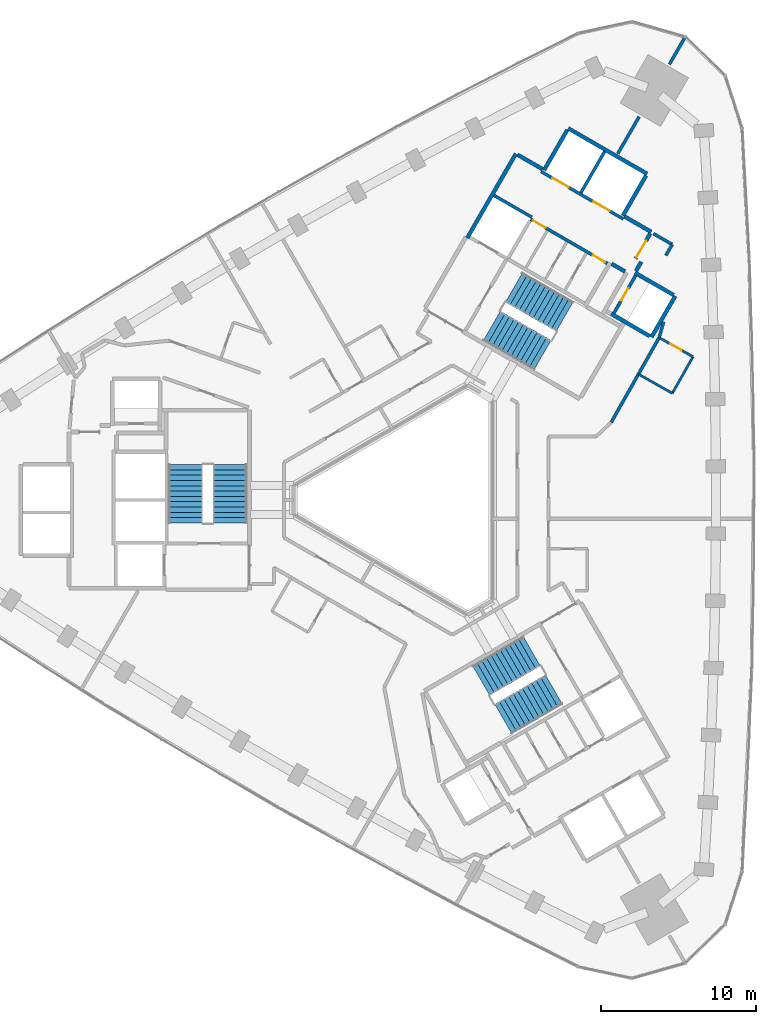
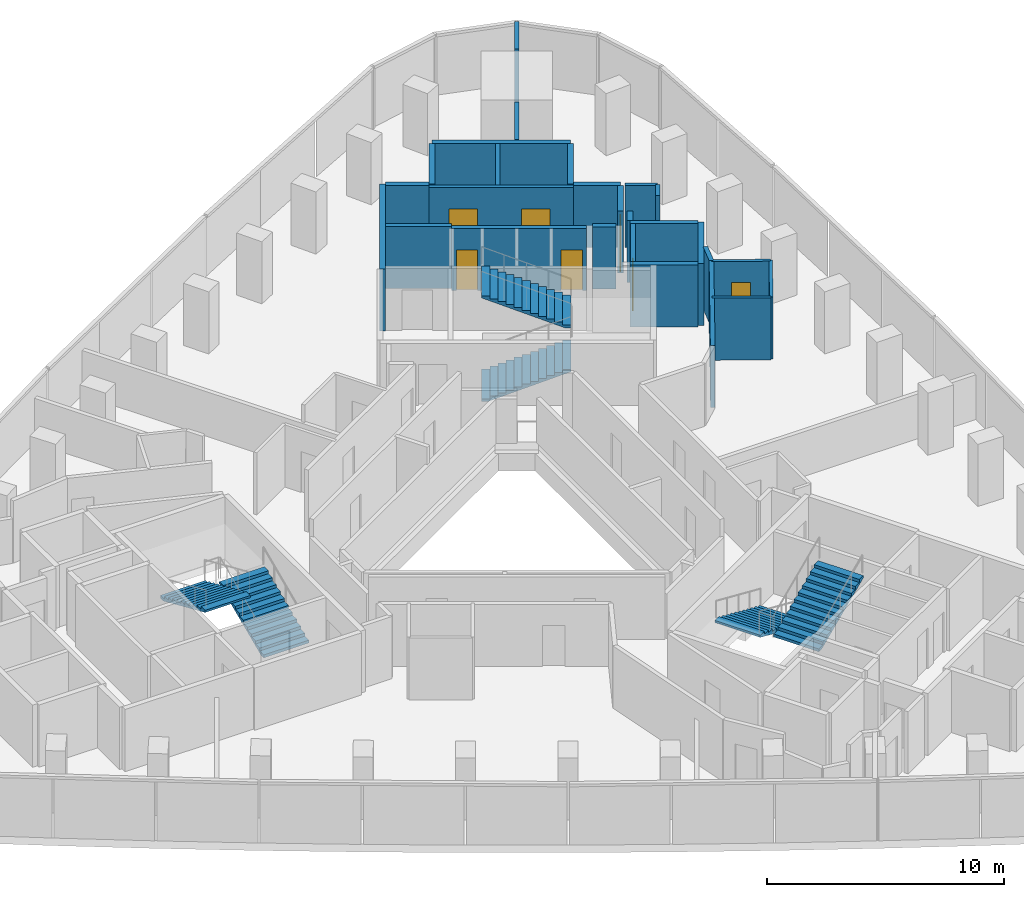
# One storey, part 11 of 12: 26 walls, 7 doors, 6 stair flights, 7 openings, 3 elements without a shape of their own.
"""IFC4 building model written with IfcOpenShell, lengths in metres."""

from ifc_helpers import new_model, si_unit, direction, frame, frame_2d, origin, place, context, subcontext, project, spatial, polyline, rectangle, outline, extrude, material, layer, layer_set, type_object, element, fill, aggregate, save


model = new_model("IFC4")

# Units and contexts
model_context = context("Model", 3, precision=1e-05, world=origin(), true_north=direction((0.0, 1.0)))
body_context = subcontext(model_context, "Body", "Model", "MODEL_VIEW")
ifc_project = project(units=[si_unit("LENGTHUNIT", "METRE"), si_unit("AREAUNIT", "SQUARE_METRE"), si_unit("VOLUMEUNIT", "CUBIC_METRE"), si_unit("PLANEANGLEUNIT", "RADIAN"), si_unit("MASSUNIT", "GRAM", prefix="KILO")], contexts=[model_context])

# Site, building, storey
site_placement = place(None, origin())
site = spatial("IfcSite", under=ifc_project, at=site_placement, CompositionType="ELEMENT")
building_placement = place(site_placement, origin())
building = spatial("IfcBuilding", under=site, at=building_placement, Name="Tamra Quay Hotel Tower", CompositionType="ELEMENT")
storey_placement = place(building_placement, frame((0.0, 0.0, 154.0)))
storey = spatial("IfcBuildingStorey", under=building, at=storey_placement, Name="L38", CompositionType="ELEMENT", Elevation=154.0)

# Wall, openings, doors
ifc_material_1 = material(Name="Concrete M70", Category="concrete")
ifc_layer_1 = layer(ifc_material_1, 0.199951171875)
ifc_layer_set_1 = layer_set([ifc_layer_1], Name="Concrete M70 core wall 200")
wall_type_1 = type_object("IfcWallType", Name="Concrete M70 core wall 200", PredefinedType="SHEAR", material=ifc_layer_set_1)
wall_1_placement = place(storey_placement, frame((13.209716796875, 18.07958984375, 0.0), z_axis=(0.0, 0.0, 1.0), x_axis=(-0.866030299012, 0.499991521122, 0.0)))
wall_1 = element("IfcWall", 1, at=wall_1_placement, inside=storey, type_object=wall_type_1, Name="CW2", PredefinedType="SHEAR", context=body_context, shape_type="SweptSolid", body=[
    extrude(rectangle(XDim=6.10009765625, YDim=0.199951171875, at=frame_2d((3.050048828125, 0.0))), origin(), (0.0, 0.0, 1.0), 3.199951171875),
])
opening_1_placement = place(wall_1_placement, frame((1.0, 0.0, 0.0)))
opening_1 = element("IfcOpeningElement", 2, at=opening_1_placement, cuts=wall_1, Name="Opening LD", PredefinedType="OPENING", context=body_context, shape_type="SweptSolid", body=[
    extrude(rectangle(XDim=1.199951171875, YDim=2.10009765625, at=frame_2d((0.60009765625, 1.050048828125))), frame((0.0, 0.10986328125, 0.0), z_axis=(0.0, -1.0, 0.0), x_axis=(1.0, 0.0, 0.0)), (0.0, 0.0, 1.0), 0.219970703125),
])
opening_2_placement = place(wall_1_placement, frame((4.05029296875, 0.0, 0.0)))
opening_2 = element("IfcOpeningElement", 3, at=opening_2_placement, cuts=wall_1, Name="Opening LD", PredefinedType="OPENING", context=body_context, shape_type="SweptSolid", body=[
    extrude(rectangle(XDim=1.199951171875, YDim=2.10009765625, at=frame_2d((0.60009765625, 1.050048828125))), frame((0.0, 0.10986328125, 0.0), z_axis=(0.0, -1.0, 0.0), x_axis=(1.0, 0.0, 0.0)), (0.0, 0.0, 1.0), 0.219970703125),
])
ifc_material_2 = material(Name="Landing door LD 1200 double door sliding")
door_type_1 = type_object("IfcDoorType", Name="Landing door LD 1200 double door sliding", OperationType="DOUBLE_DOOR_SLIDING", PredefinedType="DOOR", material=ifc_material_2)
door_1_placement = place(opening_1_placement, origin())
door_1 = element("IfcDoor", 4, at=door_1_placement, inside=storey, type_object=door_type_1, Name="LD", OperationType="DOUBLE_DOOR_SLIDING", OverallHeight=2.10009765625, OverallWidth=1.199951171875, PredefinedType="DOOR", context=body_context, shape_type="SweptSolid", body=[
    extrude(rectangle(XDim=1.199951171875, YDim=2.10009765625, at=frame_2d((0.60009765625, 1.050048828125))), frame((0.0, 0.02490234375, 0.0), z_axis=(0.0, -1.0, 0.0), x_axis=(1.0, 0.0, 0.0)), (0.0, 0.0, 1.0), 0.050048828125),
])
fill(opening_1, door_1)
door_2_placement = place(opening_2_placement, origin())
door_2 = element("IfcDoor", 5, at=door_2_placement, inside=storey, type_object=door_type_1, Name="LD", OperationType="DOUBLE_DOOR_SLIDING", OverallHeight=2.10009765625, OverallWidth=1.199951171875, PredefinedType="DOOR", context=body_context, shape_type="SweptSolid", body=[
    extrude(rectangle(XDim=1.199951171875, YDim=2.10009765625, at=frame_2d((0.60009765625, 1.050048828125))), frame((0.0, 0.02490234375, 0.0), z_axis=(0.0, -1.0, 0.0), x_axis=(1.0, 0.0, 0.0)), (0.0, 0.0, 1.0), 0.050048828125),
])
fill(opening_2, door_2)

wall_2_placement = place(storey_placement, frame((12.18505859375, 15.20703125, 0.0), z_axis=(0.0, 0.0, 1.0), x_axis=(-0.866020080793, 0.500009219579, 0.0)))
wall_2 = element("IfcWall", 6, at=wall_2_placement, inside=storey, type_object=wall_type_1, Name="CW2", PredefinedType="SHEAR", context=body_context, shape_type="SweptSolid", body=[
    extrude(rectangle(XDim=5.69921875, YDim=0.199951171875, at=frame_2d((2.849609375, 0.0))), origin(), (0.0, 0.0, 1.0), 3.199951171875),
])
opening_3_placement = place(wall_2_placement, frame((0.174072265625, 0.0, 0.0)))
opening_3 = element("IfcOpeningElement", 7, at=opening_3_placement, cuts=wall_2, Name="Opening D2", PredefinedType="OPENING", context=body_context, shape_type="SweptSolid", body=[
    extrude(rectangle(XDim=0.89990234375, YDim=2.10009765625, at=frame_2d((0.449951171875, 1.050048828125))), frame((0.0, 0.10986328125, 0.0), z_axis=(0.0, -1.0, 0.0), x_axis=(1.0, 0.0, 0.0)), (0.0, 0.0, 1.0), 0.219970703125),
])
opening_4_placement = place(wall_2_placement, frame((4.59912109375, 0.0, 0.0)))
opening_4 = element("IfcOpeningElement", 8, at=opening_4_placement, cuts=wall_2, Name="Opening D2", PredefinedType="OPENING", context=body_context, shape_type="SweptSolid", body=[
    extrude(rectangle(XDim=0.89990234375, YDim=2.10009765625, at=frame_2d((0.449951171875, 1.050048828125))), frame((0.0, 0.10986328125, 0.0), z_axis=(0.0, -1.0, 0.0), x_axis=(1.0, 0.0, 0.0)), (0.0, 0.0, 1.0), 0.219970703125),
])
ifc_material_3 = material(Name="Core door D2 900x2100 LH")
door_type_2 = type_object("IfcDoorType", Name="Core door D2 900x2100 LH", OperationType="NOTDEFINED", PredefinedType="DOOR", material=ifc_material_3)
door_3_placement = place(opening_3_placement, origin())
door_3 = element("IfcDoor", 9, at=door_3_placement, inside=storey, type_object=door_type_2, Name="D2", OperationType="SINGLE_SWING_LEFT", OverallHeight=2.10009765625, OverallWidth=0.89990234375, PredefinedType="DOOR", context=body_context, shape_type="SweptSolid", body=[
    extrude(rectangle(XDim=0.89990234375, YDim=2.10009765625, at=frame_2d((0.449951171875, 1.050048828125))), frame((0.0, 0.02490234375, 0.0), z_axis=(0.0, -1.0, 0.0), x_axis=(1.0, 0.0, 0.0)), (0.0, 0.0, 1.0), 0.050048828125),
])
fill(opening_3, door_3)
ifc_material_4 = material(Name="Core door D2 900x2100 RH")
door_type_3 = type_object("IfcDoorType", Name="Core door D2 900x2100 RH", OperationType="NOTDEFINED", PredefinedType="DOOR", material=ifc_material_4)
door_4_placement = place(opening_4_placement, origin())
door_4 = element("IfcDoor", 10, at=door_4_placement, inside=storey, type_object=door_type_3, Name="D2", OperationType="SINGLE_SWING_RIGHT", OverallHeight=2.10009765625, OverallWidth=0.89990234375, PredefinedType="DOOR", context=body_context, shape_type="SweptSolid", body=[
    extrude(rectangle(XDim=0.89990234375, YDim=2.10009765625, at=frame_2d((0.449951171875, 1.050048828125))), frame((0.0, 0.02490234375, 0.0), z_axis=(0.0, -1.0, 0.0), x_axis=(1.0, 0.0, 0.0)), (0.0, 0.0, 1.0), 0.050048828125),
])
fill(opening_4, door_4)

# Wall
wall_3_placement = place(storey_placement, frame((10.48876953125, 19.76708984375, 0.0), z_axis=(0.0, 0.0, 1.0), x_axis=(0.499946628782, 0.866056215479, 0.0)))
element("IfcWall", 11, at=wall_3_placement, inside=storey, type_object=wall_type_1, Name="CW2", PredefinedType="SHEAR", context=body_context, shape_type="SweptSolid", body=[
    extrude(rectangle(XDim=3.048095703125, YDim=0.199951171875, at=frame_2d((1.52392578125, 0.0))), origin(), (0.0, 0.0, 1.0), 3.199951171875),
])

# Wall, opening, door
wall_4_placement = place(storey_placement, frame((14.0078125, 14.442138671875, 0.0), z_axis=(0.0, 0.0, 1.0), x_axis=(-0.499986818241, -0.866033014143, 0.0)))
wall_4 = element("IfcWall", 12, at=wall_4_placement, inside=storey, type_object=wall_type_1, Name="CW2", PredefinedType="SHEAR", context=body_context, shape_type="SweptSolid", body=[
    extrude(rectangle(XDim=2.7978515625, YDim=0.199951171875, at=frame_2d((1.39892578125, 0.0))), origin(), (0.0, 0.0, 1.0), 3.199951171875),
])
opening_5_placement = place(wall_4_placement, frame((0.948974609375, 0.0, 0.0)))
opening_5 = element("IfcOpeningElement", 13, at=opening_5_placement, cuts=wall_4, Name="Opening D1", PredefinedType="OPENING", context=body_context, shape_type="SweptSolid", body=[
    extrude(rectangle(XDim=0.89990234375, YDim=2.10009765625, at=frame_2d((0.449951171875, 1.050048828125))), frame((0.0, 0.10986328125, 0.0), z_axis=(0.0, -1.0, 0.0), x_axis=(1.0, 0.0, 0.0)), (0.0, 0.0, 1.0), 0.219970703125),
])
ifc_material_5 = material(Name="Core door D1 900x2100 LH")
door_type_4 = type_object("IfcDoorType", Name="Core door D1 900x2100 LH", OperationType="NOTDEFINED", PredefinedType="DOOR", material=ifc_material_5)
door_5_placement = place(opening_5_placement, origin())
door_5 = element("IfcDoor", 14, at=door_5_placement, inside=storey, type_object=door_type_4, Name="D1", OperationType="SINGLE_SWING_LEFT", OverallHeight=2.10009765625, OverallWidth=0.89990234375, PredefinedType="DOOR", context=body_context, shape_type="SweptSolid", body=[
    extrude(rectangle(XDim=0.89990234375, YDim=2.10009765625, at=frame_2d((0.449951171875, 1.050048828125))), frame((0.0, 0.02490234375, 0.0), z_axis=(0.0, -1.0, 0.0), x_axis=(1.0, 0.0, 0.0)), (0.0, 0.0, 1.0), 0.050048828125),
])
fill(opening_5, door_5)

# Walls
wall_5_placement = place(storey_placement, frame((4.900634765625, 19.5859375, 0.0), z_axis=(0.0, 0.0, 1.0), x_axis=(0.866022890907, -0.500004352405, 0.0)))
element("IfcWall", 15, at=wall_5_placement, inside=storey, type_object=wall_type_1, Name="CW2", PredefinedType="SHEAR", context=body_context, shape_type="SweptSolid", body=[
    extrude(rectangle(XDim=2.798828125, YDim=0.199951171875, at=frame_2d((1.3994140625, 0.0))), origin(), (0.0, 0.0, 1.0), 3.199951171875),
])
ifc_layer_2 = layer(ifc_material_1, 0.25)
ifc_layer_set_2 = layer_set([ifc_layer_2], Name="Concrete M70 core wall 250")
wall_type_2 = type_object("IfcWallType", Name="Concrete M70 core wall 250", PredefinedType="SHEAR", material=ifc_layer_set_2)
wall_6_placement = place(storey_placement, frame((3.178955078125, 16.856201171875, 0.0), z_axis=(0.0, 0.0, 1.0), x_axis=(0.500004234368, 0.866022959057, 0.0)))
element("IfcWall", 16, at=wall_6_placement, inside=storey, type_object=wall_type_2, Name="CW1", PredefinedType="SHEAR", context=body_context, shape_type="SweptSolid", body=[
    extrude(rectangle(XDim=6.25, YDim=0.25, at=frame_2d((3.125, 0.0))), origin(), (0.0, 0.0, 1.0), 3.199951171875),
])
wall_7_placement = place(storey_placement, frame((9.672607421875, 23.9033203125, 0.0), z_axis=(0.0, 0.0, 1.0), x_axis=(0.86603616409, -0.499981362141, 0.0)))
element("IfcWall", 17, at=wall_7_placement, inside=storey, type_object=wall_type_2, Name="CW1", PredefinedType="SHEAR", context=body_context, shape_type="SweptSolid", body=[
    extrude(rectangle(XDim=5.849853515625, YDim=0.25, at=frame_2d((2.9248046875, 0.0))), origin(), (0.0, 0.0, 1.0), 3.199951171875),
])
for number, where, z_axis, x_axis, name in (
    (18, (8.12255859375, 21.21875, 0.0), (0.0, 0.0, 1.0), (0.499987686533, 0.866032512851, 0.0), "CW1"),
    (19, (14.67626953125, 20.869873046875, 0.0), (0.0, 0.0, 1.0), (-0.499987686533, -0.866032512851, 0.0), "CW1"),
):
    element("IfcWall", number, at=place(storey_placement, frame(where, z_axis=z_axis, x_axis=x_axis)), inside=storey, type_object=wall_type_2, Name=name, PredefinedType="SHEAR", context=body_context, shape_type="SweptSolid", body=[
        extrude(rectangle(XDim=2.974609375, YDim=0.25, at=frame_2d((1.4873046875, 0.0))), origin(), (0.0, 0.0, 1.0), 3.199951171875),
    ])
wall_8_placement = place(storey_placement, frame((16.552001953125, 13.118896484375, 0.0), z_axis=(0.0, 0.0, 1.0), x_axis=(-0.499978833458, -0.866037623948, 0.0)))
element("IfcWall", 20, at=wall_8_placement, inside=storey, type_object=wall_type_2, Name="CW1", PredefinedType="SHEAR", context=body_context, shape_type="SweptSolid", body=[
    extrude(rectangle(XDim=3.050048828125, YDim=0.25, at=frame_2d((1.52490234375, 0.0))), origin(), (0.0, 0.0, 1.0), 3.199951171875),
])
wall_9_placement = place(storey_placement, frame((14.91845703125, 10.540283203125, 0.0), z_axis=(0.0, 0.0, 1.0), x_axis=(-0.866063538972, 0.499933942099, 0.0)))
element("IfcWall", 21, at=wall_9_placement, inside=storey, type_object=wall_type_2, Name="CW1", PredefinedType="SHEAR", context=body_context, shape_type="SweptSolid", body=[
    extrude(rectangle(XDim=2.86474609375, YDim=0.25, at=frame_2d((1.432373046875, 0.0))), origin(), (0.0, 0.0, 1.0), 3.199951171875),
])
wall_10_placement = place(storey_placement, frame((13.962646484375, 14.61376953125, 0.0), z_axis=(0.0, 0.0, 1.0), x_axis=(0.866042235819, -0.499970844928, 0.0)))
element("IfcWall", 22, at=wall_10_placement, inside=storey, type_object=wall_type_2, Name="CW1", PredefinedType="SHEAR", context=body_context, shape_type="SweptSolid", body=[
    extrude(rectangle(XDim=2.864501953125, YDim=0.25, at=frame_2d((1.43212890625, 0.0))), origin(), (0.0, 0.0, 1.0), 3.199951171875),
])
wall_11_placement = place(storey_placement, frame((13.29736328125, 18.23095703125, 0.0), z_axis=(0.0, 0.0, 1.0), x_axis=(0.866043531843, -0.499968599967, 0.0)))
element("IfcWall", 23, at=wall_11_placement, inside=storey, type_object=wall_type_2, Name="CW1", PredefinedType="SHEAR", context=body_context, shape_type="SweptSolid", body=[
    extrude(rectangle(XDim=1.974853515625, YDim=0.25, at=frame_2d((0.9873046875, 0.0))), origin(), (0.0, 0.0, 1.0), 3.199951171875),
])
wall_12_placement = place(storey_placement, frame((6.41259765625, 22.2060546875, 0.0), z_axis=(0.0, 0.0, 1.0), x_axis=(0.866016279763, -0.500015802937, 0.0)))
element("IfcWall", 24, at=wall_12_placement, inside=storey, type_object=wall_type_2, Name="CW1", PredefinedType="SHEAR", context=body_context, shape_type="SweptSolid", body=[
    extrude(rectangle(XDim=1.84912109375, YDim=0.25, at=frame_2d((0.924560546875, 0.0))), origin(), (0.0, 0.0, 1.0), 3.199951171875),
])

# Wall, opening, door
wall_13_placement = place(storey_placement, frame((14.94482421875, 17.13525390625, 0.0), z_axis=(0.0, 0.0, 1.0), x_axis=(-0.499983108224, -0.866035156036, 0.0)))
wall_13 = element("IfcWall", 25, at=wall_13_placement, inside=storey, type_object=wall_type_2, Name="CW1", PredefinedType="SHEAR", context=body_context, shape_type="SweptSolid", body=[
    extrude(rectangle(XDim=1.86474609375, YDim=0.25, at=frame_2d((0.932373046875, 0.0))), origin(), (0.0, 0.0, 1.0), 3.199951171875),
])
opening_6_placement = place(wall_13_placement, frame((0.53466796875, 0.0, 0.0)))
opening_6 = element("IfcOpeningElement", 26, at=opening_6_placement, cuts=wall_13, Name="Opening FD3", PredefinedType="OPENING", context=body_context, shape_type="SweptSolid", body=[
    extrude(rectangle(XDim=1.25, YDim=2.10009765625, at=frame_2d((0.625, 1.050048828125))), frame((0.0, 0.135009765625, 0.0), z_axis=(0.0, -1.0, 0.0), x_axis=(1.0, 0.0, 0.0)), (0.0, 0.0, 1.0), 0.27001953125),
])
ifc_material_6 = material(Name="Core door FD3 1250x2100 LH")
door_type_5 = type_object("IfcDoorType", Name="Core door FD3 1250x2100 LH", OperationType="NOTDEFINED", PredefinedType="DOOR", material=ifc_material_6)
door_6_placement = place(opening_6_placement, origin())
door_6 = element("IfcDoor", 27, at=door_6_placement, inside=storey, type_object=door_type_5, Name="FD3", OperationType="SINGLE_SWING_LEFT", OverallHeight=2.10009765625, OverallWidth=1.25, PredefinedType="DOOR", context=body_context, shape_type="SweptSolid", body=[
    extrude(rectangle(XDim=1.25, YDim=2.10009765625, at=frame_2d((0.625, 1.050048828125))), frame((0.0, 0.02490234375, 0.0), z_axis=(0.0, -1.0, 0.0), x_axis=(1.0, 0.0, 0.0)), (0.0, 0.0, 1.0), 0.050048828125),
])
fill(opening_6, door_6)

# Walls
wall_14_placement = place(storey_placement, frame((13.322021484375, 14.695068359375, 0.0), z_axis=(0.0, 0.0, 1.0), x_axis=(-0.866017078145, 0.500014420154, 0.0)))
element("IfcWall", 28, at=wall_14_placement, inside=storey, type_object=wall_type_2, Name="CW1", PredefinedType="SHEAR", context=body_context, shape_type="SweptSolid", body=[
    extrude(rectangle(XDim=0.9892578125, YDim=0.25, at=frame_2d((0.49462890625, 0.0))), origin(), (0.0, 0.0, 1.0), 3.199951171875),
])
wall_15_placement = place(storey_placement, frame((14.36767578125, 15.3154296875, 0.0), z_axis=(0.0, 0.0, 1.0), x_axis=(-0.499897359611, -0.866084655132, 0.0)))
element("IfcWall", 29, at=wall_15_placement, inside=storey, type_object=wall_type_2, Name="CW1", PredefinedType="SHEAR", context=body_context, shape_type="SweptSolid", body=[
    extrude(rectangle(XDim=0.684814453125, YDim=0.25, at=frame_2d((0.34228515625, 0.0))), origin(), (0.0, 0.0, 1.0), 3.199951171875),
])
ifc_material_7 = material(Name="Partition corridor wall")
ifc_layer_3 = layer(ifc_material_7, 0.199951171875)
ifc_layer_set_3 = layer_set([ifc_layer_3], Name="Partition corridor wall")
wall_type_3 = type_object("IfcWallType", Name="Partition corridor wall", PredefinedType="PARTITIONING", material=ifc_layer_set_3)
wall_16_placement = place(storey_placement, frame((12.43310546875, 4.991943359375, 0.0), z_axis=(0.0, 0.0, 1.0), x_axis=(0.492572049538, 0.870271667937, 0.0)))
element("IfcWall", 30, at=wall_16_placement, inside=storey, type_object=wall_type_3, Name="W-C", PredefinedType="PARTITIONING", context=body_context, shape_type="SweptSolid", body=[
    extrude(rectangle(XDim=6.265380859375, YDim=0.199951171875, at=frame_2d((3.1328125, 0.0))), origin(), (0.0, 0.0, 1.0), 3.199951171875),
])
wall_17_placement = place(storey_placement, frame((15.155517578125, 17.130126953125, 0.0), z_axis=(0.0, 0.0, 1.0), x_axis=(0.865755062894, -0.500467952093, 0.0)))
element("IfcWall", 31, at=wall_17_placement, inside=storey, type_object=wall_type_3, Name="W-C", PredefinedType="PARTITIONING", context=body_context, shape_type="SweptSolid", body=[
    extrude(rectangle(XDim=1.388916015625, YDim=0.199951171875, at=frame_2d((0.6943359375, 0.0))), origin(), (0.0, 0.0, 1.0), 3.199951171875),
])
wall_18_placement = place(storey_placement, frame((15.52001953125, 10.445068359375, 0.0), z_axis=(0.0, 0.0, 1.0), x_axis=(0.274143458758, 0.961688808306, 0.0)))
element("IfcWall", 32, at=wall_18_placement, inside=storey, type_object=wall_type_3, Name="W-C", PredefinedType="PARTITIONING", context=body_context, shape_type="SweptSolid", body=[
    extrude(rectangle(XDim=1.060546875, YDim=0.199951171875, at=frame_2d((0.5302734375, 0.0))), origin(), (0.0, 0.0, 1.0), 3.199951171875),
])
wall_19_placement = place(storey_placement, frame((15.947998046875, 15.72509765625, 0.0), z_axis=(0.0, 0.0, 1.0), x_axis=(0.500014611105, 0.866016967894, 0.0)))
element("IfcWall", 33, at=wall_19_placement, inside=storey, type_object=wall_type_3, Name="W-C", PredefinedType="PARTITIONING", context=body_context, shape_type="SweptSolid", body=[
    extrude(rectangle(XDim=0.81982421875, YDim=0.199951171875, at=frame_2d((0.409912109375, 0.0))), origin(), (0.0, 0.0, 1.0), 3.199951171875),
])
ifc_material_8 = material(Name="Partition en-suite wall")
ifc_layer_4 = layer(ifc_material_8, 0.14990234375)
ifc_layer_set_4 = layer_set([ifc_layer_4], Name="Partition en-suite wall")
wall_type_4 = type_object("IfcWallType", Name="Partition en-suite wall", PredefinedType="PARTITIONING", material=ifc_layer_set_4)
wall_20_placement = place(storey_placement, frame((14.18994140625, 8.093994140625, 0.0), z_axis=(0.0, 0.0, 1.0), x_axis=(0.870269507955, -0.492575865754, 0.0)))
element("IfcWall", 34, at=wall_20_placement, inside=storey, type_object=wall_type_4, Name="W-E", PredefinedType="PARTITIONING", context=body_context, shape_type="SweptSolid", body=[
    extrude(rectangle(XDim=2.4970703125, YDim=0.14990234375, at=frame_2d((1.24853515625, 0.0))), origin(), (0.0, 0.0, 1.0), 3.199951171875),
])

# Wall, opening, door
wall_21_placement = place(storey_placement, frame((15.52197265625, 10.44189453125, 0.0), z_axis=(0.0, 0.0, 1.0), x_axis=(0.870338423523, -0.492454087747, 0.0)))
wall_21 = element("IfcWall", 35, at=wall_21_placement, inside=storey, type_object=wall_type_4, Name="W-E", PredefinedType="PARTITIONING", context=body_context, shape_type="SweptSolid", body=[
    extrude(rectangle(XDim=2.4931640625, YDim=0.14990234375, at=frame_2d((1.24658203125, 0.0))), origin(), (0.0, 0.0, 1.0), 3.199951171875),
])
opening_7_placement = place(wall_21_placement, frame((0.847412109375, 0.0, 0.0)))
opening_7 = element("IfcOpeningElement", 36, at=opening_7_placement, cuts=wall_21, Name="Opening L38-D004", PredefinedType="OPENING", context=body_context, shape_type="SweptSolid", body=[
    extrude(rectangle(XDim=0.800048828125, YDim=2.10009765625, at=frame_2d((0.39990234375, 1.050048828125))), frame((0.0, 0.0849609375, 0.0), z_axis=(0.0, -1.0, 0.0), x_axis=(1.0, 0.0, 0.0)), (0.0, 0.0, 1.0), 0.169921875),
])
ifc_material_9 = material(Name="Door en-suite 800x2100")
door_type_6 = type_object("IfcDoorType", Name="Door en-suite 800x2100", OperationType="NOTDEFINED", PredefinedType="DOOR", material=ifc_material_9)
door_7_placement = place(opening_7_placement, origin())
door_7 = element("IfcDoor", 37, at=door_7_placement, inside=storey, type_object=door_type_6, Name="L38-D004", OperationType="SINGLE_SWING_LEFT", OverallHeight=2.10009765625, OverallWidth=0.800048828125, PredefinedType="DOOR", context=body_context, shape_type="SweptSolid", body=[
    extrude(rectangle(XDim=0.800048828125, YDim=2.10009765625, at=frame_2d((0.39990234375, 1.050048828125))), frame((0.0, 0.02490234375, 0.0), z_axis=(0.0, -1.0, 0.0), x_axis=(1.0, 0.0, 0.0)), (0.0, 0.0, 1.0), 0.050048828125),
])
fill(opening_7, door_7)

# Walls
wall_22_placement = place(storey_placement, frame((16.366943359375, 6.865966796875, 0.0), z_axis=(0.0, 0.0, 1.0), x_axis=(0.492699238561, 0.870199666928, 0.0)))
element("IfcWall", 38, at=wall_22_placement, inside=storey, type_object=wall_type_4, Name="W-E", PredefinedType="PARTITIONING", context=body_context, shape_type="SweptSolid", body=[
    extrude(rectangle(XDim=2.693603515625, YDim=0.14990234375, at=frame_2d((1.3466796875, 0.0))), origin(), (0.0, 0.0, 1.0), 3.199951171875),
])
ifc_material_10 = material(Name="Partition party wall")
ifc_layer_5 = layer(ifc_material_10, 0.199951171875)
ifc_layer_set_5 = layer_set([ifc_layer_5], Name="Partition party wall")
wall_type_5 = type_object("IfcWallType", Name="Partition party wall", PredefinedType="PARTITIONING", material=ifc_layer_set_5)
wall_23_placement = place(storey_placement, frame((12.861083984375, 22.276123046875, 0.0), z_axis=(0.0, 0.0, 1.0), x_axis=(0.49982784299, 0.866124775868, 0.0)))
element("IfcWall", 39, at=wall_23_placement, inside=storey, type_object=wall_type_5, Name="W-P", PredefinedType="PARTITIONING", context=body_context, shape_type="SweptSolid", body=[
    extrude(rectangle(XDim=2.74072265625, YDim=0.199951171875, at=frame_2d((1.370361328125, 0.0))), origin(), (0.0, 0.0, 1.0), 3.199951171875),
])
wall_24_placement = place(storey_placement, frame((16.1806640625, 28.02880859375, 0.0), z_axis=(0.0, 0.0, 1.0), x_axis=(0.499941024108, 0.866059450854, 0.0)))
element("IfcWall", 40, at=wall_24_placement, inside=storey, type_object=wall_type_5, Name="W-P", PredefinedType="PARTITIONING", context=body_context, shape_type="SweptSolid", body=[
    extrude(rectangle(XDim=2.030517578125, YDim=0.199951171875, at=frame_2d((1.01513671875, 0.0))), origin(), (0.0, 0.0, 1.0), 3.199951171875),
])

# Stair, stair flights
ifc_material_11 = material(Name="Exit stair 2200 24 risers 150.0 going 342")
stair_type = type_object("IfcStairType", Name="Exit stair 2200 24 risers 150.0 going 342", PredefinedType="HALF_TURN_STAIR", material=ifc_material_11)
stair_1_placement = place(storey_placement, origin())
stair_1 = element("IfcStair", 41, at=stair_1_placement, inside=storey, type_object=stair_type, Name="L38 Exit stair ST3", PredefinedType="HALF_TURN_STAIR")
ifc_material_12 = material(Name="Exit stair flight 2200 12 risers 150.0")
stair_flight_type = type_object("IfcStairFlightType", Name="Exit stair flight 2200 12 risers 150.0", PredefinedType="STRAIGHT", material=ifc_material_12)
stair_flight_1_placement = place(storey_placement, frame((-12.082275390625, -1.47998046875, 0.0), z_axis=(0.0, 0.0, 1.0), x_axis=(0.0, 1.0, 0.0)))
stair_flight_1 = element("IfcStairFlight", 42, at=stair_flight_1_placement, type_object=stair_flight_type, Name="ST3 flight 1", NumberOfRisers=12, NumberOfTreads=11, PredefinedType="STRAIGHT", RiserHeight=0.15, TreadLength=0.342, context=body_context, shape_type="SweptSolid", body=[
    extrude(outline(polyline([(0.0, 0.0), (0.0, 0.14990234375), (0.342041015625, 0.14990234375), (0.342041015625, 0.300048828125), (0.68408203125, 0.300048828125), (0.68408203125, 0.449951171875), (1.02587890625, 0.449951171875), (1.02587890625, 0.60009765625), (1.367919921875, 0.60009765625), (1.367919921875, 0.75), (1.7099609375, 0.75), (1.7099609375, 0.89990234375), (2.052001953125, 0.89990234375), (2.052001953125, 1.050048828125), (2.39404296875, 1.050048828125), (2.39404296875, 1.199951171875), (2.736083984375, 1.199951171875), (2.736083984375, 1.35009765625), (3.077880859375, 1.35009765625), (3.077880859375, 1.5), (3.419921875, 1.5), (3.419921875, 1.64990234375), (3.761962890625, 1.64990234375), (3.761962890625, 1.800048828125), (3.761962890625, 1.540771484375), (0.249267578125, 0.0), (0.0, 0.0)])), frame((0.0, 1.10009765625, 0.0), z_axis=(0.0, -1.0, 0.0), x_axis=(1.0, 0.0, 0.0)), (0.0, 0.0, 1.0), 2.199951171875),
])
stair_flight_2_placement = place(storey_placement, frame((-14.94140625, 2.281982421875, 1.800048828125), z_axis=(0.0, 0.0, 1.0), x_axis=(0.0, -1.0, 0.0)))
stair_flight_2 = element("IfcStairFlight", 43, at=stair_flight_2_placement, type_object=stair_flight_type, Name="ST3 flight 2", NumberOfRisers=12, NumberOfTreads=11, PredefinedType="STRAIGHT", RiserHeight=0.15, TreadLength=0.342, context=body_context, shape_type="SweptSolid", body=[
    extrude(outline(polyline([(0.0, 0.0), (0.0, 0.14990234375), (0.342041015625, 0.14990234375), (0.342041015625, 0.300048828125), (0.68408203125, 0.300048828125), (0.68408203125, 0.449951171875), (1.02587890625, 0.449951171875), (1.02587890625, 0.60009765625), (1.367919921875, 0.60009765625), (1.367919921875, 0.75), (1.7099609375, 0.75), (1.7099609375, 0.89990234375), (2.052001953125, 0.89990234375), (2.052001953125, 1.050048828125), (2.39404296875, 1.050048828125), (2.39404296875, 1.199951171875), (2.736083984375, 1.199951171875), (2.736083984375, 1.35009765625), (3.077880859375, 1.35009765625), (3.077880859375, 1.5), (3.419921875, 1.5), (3.419921875, 1.64990234375), (3.761962890625, 1.64990234375), (3.761962890625, 1.800048828125), (3.761962890625, 1.540771484375), (0.249267578125, 0.0), (0.0, 0.0)])), frame((0.0, 1.10009765625, 0.0), z_axis=(0.0, -1.0, 0.0), x_axis=(1.0, 0.0, 0.0)), (0.0, 0.0, 1.0), 2.199951171875),
])
aggregate(stair_1, [stair_flight_1, stair_flight_2])

stair_2_placement = place(storey_placement, origin())
stair_2 = element("IfcStair", 44, at=stair_2_placement, inside=storey, type_object=stair_type, Name="L38 Exit stair ST1", PredefinedType="HALF_TURN_STAIR")
stair_flight_3_placement = place(storey_placement, frame((4.75927734375, 11.20361328125, 0.0), z_axis=(0.0, 0.0, 1.0), x_axis=(0.866025403784, -0.5, 0.0)))
stair_flight_3 = element("IfcStairFlight", 45, at=stair_flight_3_placement, type_object=stair_flight_type, Name="ST1 flight 1", NumberOfRisers=12, NumberOfTreads=11, PredefinedType="STRAIGHT", RiserHeight=0.15, TreadLength=0.342, context=body_context, shape_type="SweptSolid", body=[
    extrude(outline(polyline([(0.0, 0.0), (0.0, 0.14990234375), (0.342041015625, 0.14990234375), (0.342041015625, 0.300048828125), (0.68408203125, 0.300048828125), (0.68408203125, 0.449951171875), (1.02587890625, 0.449951171875), (1.02587890625, 0.60009765625), (1.367919921875, 0.60009765625), (1.367919921875, 0.75), (1.7099609375, 0.75), (1.7099609375, 0.89990234375), (2.052001953125, 0.89990234375), (2.052001953125, 1.050048828125), (2.39404296875, 1.050048828125), (2.39404296875, 1.199951171875), (2.736083984375, 1.199951171875), (2.736083984375, 1.35009765625), (3.077880859375, 1.35009765625), (3.077880859375, 1.5), (3.419921875, 1.5), (3.419921875, 1.64990234375), (3.761962890625, 1.64990234375), (3.761962890625, 1.800048828125), (3.761962890625, 1.540771484375), (0.249267578125, 0.0), (0.0, 0.0)])), frame((0.0, 1.10009765625, 0.0), z_axis=(0.0, -1.0, 0.0), x_axis=(1.0, 0.0, 0.0)), (0.0, 0.0, 1.0), 2.199951171875),
])
stair_flight_4_placement = place(storey_placement, frame((9.44677734375, 11.798583984375, 1.800048828125), z_axis=(0.0, 0.0, 1.0), x_axis=(-0.866025403784, 0.5, 0.0)))
stair_flight_4 = element("IfcStairFlight", 46, at=stair_flight_4_placement, type_object=stair_flight_type, Name="ST1 flight 2", NumberOfRisers=12, NumberOfTreads=11, PredefinedType="STRAIGHT", RiserHeight=0.15, TreadLength=0.342, context=body_context, shape_type="SweptSolid", body=[
    extrude(outline(polyline([(0.0, 0.0), (0.0, 0.14990234375), (0.342041015625, 0.14990234375), (0.342041015625, 0.300048828125), (0.68408203125, 0.300048828125), (0.68408203125, 0.449951171875), (1.02587890625, 0.449951171875), (1.02587890625, 0.60009765625), (1.367919921875, 0.60009765625), (1.367919921875, 0.75), (1.7099609375, 0.75), (1.7099609375, 0.89990234375), (2.052001953125, 0.89990234375), (2.052001953125, 1.050048828125), (2.39404296875, 1.050048828125), (2.39404296875, 1.199951171875), (2.736083984375, 1.199951171875), (2.736083984375, 1.35009765625), (3.077880859375, 1.35009765625), (3.077880859375, 1.5), (3.419921875, 1.5), (3.419921875, 1.64990234375), (3.761962890625, 1.64990234375), (3.761962890625, 1.800048828125), (3.761962890625, 1.540771484375), (0.249267578125, 0.0), (0.0, 0.0)])), frame((0.0, 1.10009765625, 0.0), z_axis=(0.0, -1.0, 0.0), x_axis=(1.0, 0.0, 0.0)), (0.0, 0.0, 1.0), 2.199951171875),
])
aggregate(stair_2, [stair_flight_3, stair_flight_4])

stair_3_placement = place(storey_placement, origin())
stair_3 = element("IfcStair", 47, at=stair_3_placement, inside=storey, type_object=stair_type, Name="L38 Exit stair ST2", PredefinedType="HALF_TURN_STAIR")
stair_flight_5_placement = place(storey_placement, frame((7.322998046875, -9.7236328125, 0.0), z_axis=(0.0, 0.0, 1.0), x_axis=(-0.866025403784, -0.5, 0.0)))
stair_flight_5 = element("IfcStairFlight", 48, at=stair_flight_5_placement, type_object=stair_flight_type, Name="ST2 flight 1", NumberOfRisers=12, NumberOfTreads=11, PredefinedType="STRAIGHT", RiserHeight=0.15, TreadLength=0.342, context=body_context, shape_type="SweptSolid", body=[
    extrude(outline(polyline([(0.0, 0.0), (0.0, 0.14990234375), (0.342041015625, 0.14990234375), (0.342041015625, 0.300048828125), (0.68408203125, 0.300048828125), (0.68408203125, 0.449951171875), (1.02587890625, 0.449951171875), (1.02587890625, 0.60009765625), (1.367919921875, 0.60009765625), (1.367919921875, 0.75), (1.7099609375, 0.75), (1.7099609375, 0.89990234375), (2.052001953125, 0.89990234375), (2.052001953125, 1.050048828125), (2.39404296875, 1.050048828125), (2.39404296875, 1.199951171875), (2.736083984375, 1.199951171875), (2.736083984375, 1.35009765625), (3.077880859375, 1.35009765625), (3.077880859375, 1.5), (3.419921875, 1.5), (3.419921875, 1.64990234375), (3.761962890625, 1.64990234375), (3.761962890625, 1.800048828125), (3.761962890625, 1.540771484375), (0.249267578125, 0.0), (0.0, 0.0)])), frame((0.0, 1.10009765625, 0.0), z_axis=(0.0, -1.0, 0.0), x_axis=(1.0, 0.0, 0.0)), (0.0, 0.0, 1.0), 2.199951171875),
])
stair_flight_6_placement = place(storey_placement, frame((5.494384765625, -14.08056640625, 1.800048828125), z_axis=(0.0, 0.0, 1.0), x_axis=(0.866025403784, 0.5, 0.0)))
stair_flight_6 = element("IfcStairFlight", 49, at=stair_flight_6_placement, type_object=stair_flight_type, Name="ST2 flight 2", NumberOfRisers=12, NumberOfTreads=11, PredefinedType="STRAIGHT", RiserHeight=0.15, TreadLength=0.342, context=body_context, shape_type="SweptSolid", body=[
    extrude(outline(polyline([(0.0, 0.0), (0.0, 0.14990234375), (0.342041015625, 0.14990234375), (0.342041015625, 0.300048828125), (0.68408203125, 0.300048828125), (0.68408203125, 0.449951171875), (1.02587890625, 0.449951171875), (1.02587890625, 0.60009765625), (1.367919921875, 0.60009765625), (1.367919921875, 0.75), (1.7099609375, 0.75), (1.7099609375, 0.89990234375), (2.052001953125, 0.89990234375), (2.052001953125, 1.050048828125), (2.39404296875, 1.050048828125), (2.39404296875, 1.199951171875), (2.736083984375, 1.199951171875), (2.736083984375, 1.35009765625), (3.077880859375, 1.35009765625), (3.077880859375, 1.5), (3.419921875, 1.5), (3.419921875, 1.64990234375), (3.761962890625, 1.64990234375), (3.761962890625, 1.800048828125), (3.761962890625, 1.540771484375), (0.249267578125, 0.0), (0.0, 0.0)])), frame((0.0, 1.10009765625, 0.0), z_axis=(0.0, -1.0, 0.0), x_axis=(1.0, 0.0, 0.0)), (0.0, 0.0, 1.0), 2.199951171875),
])
aggregate(stair_3, [stair_flight_5, stair_flight_6])

save(model, "model.ifc")
